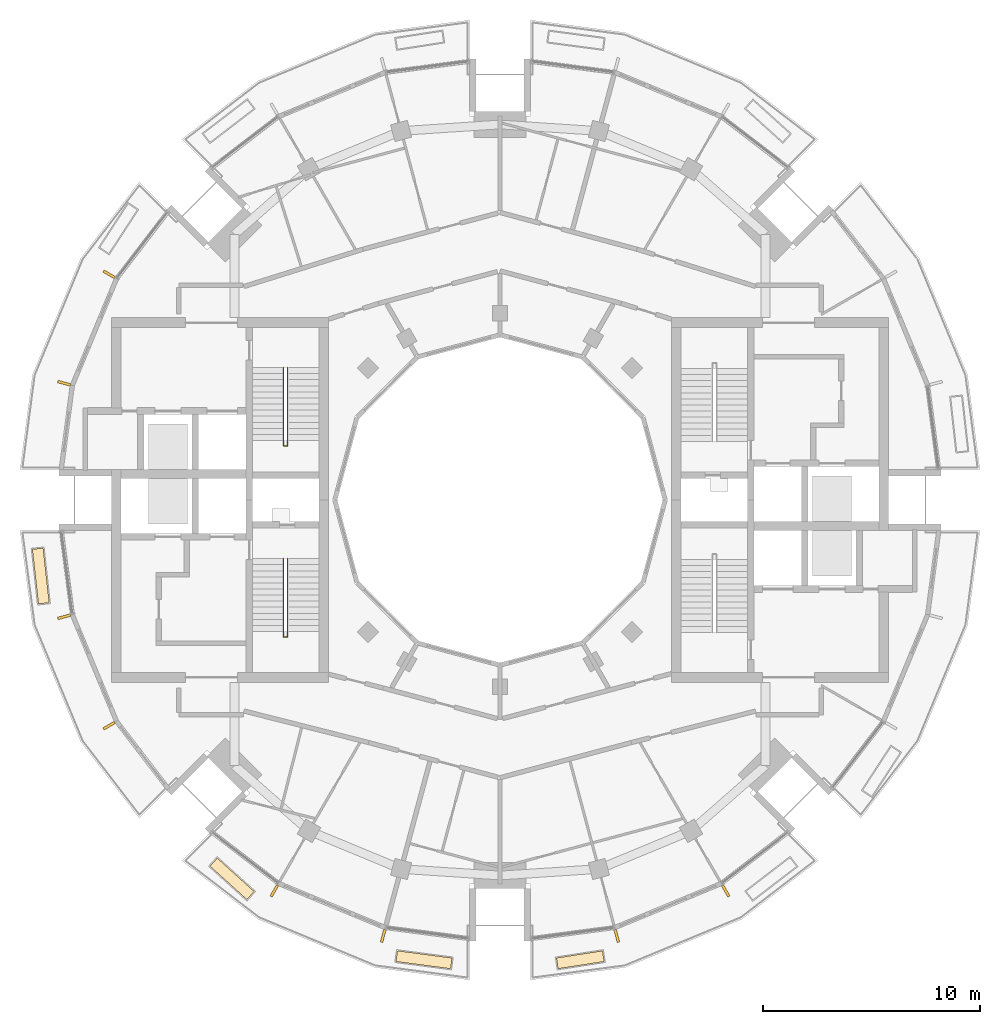
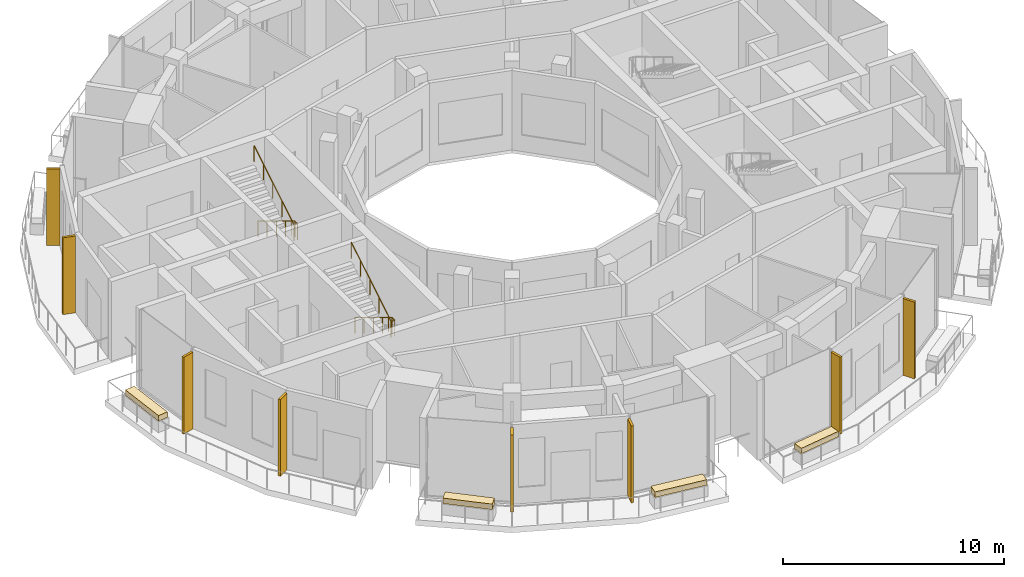
# One storey, part 13 of 15: 8 shading devices, 4 coverings, 2 railings.
"""IFC4 building model written with IfcOpenShell, lengths in metres."""

import ifcopenshell
import ifcopenshell.guid

model = None  # the IFC model being written
_history = None  # IfcOwnerHistory: only IFC2X3 demands one
_inside = {}  # id of a spatial element -> (the spatial element, [elements in it])
_under = {}  # id of a project, library or spatial element -> (it, [spatial elements below it])
_declared = {}  # id of a project -> (the project, [libraries it declares])
_typed = {}  # id of a type object -> (the type object, [elements of that type])
_made_of = {}  # id of a material, layer set ... -> (it, [elements and type objects made of it])


def new_model(schema):
    """Start an empty IFC model of exactly this schema.

    Asked for "IFC4X3", IfcOpenShell would pick the latest addendum, in which some entities
    have other attributes; the version numbers below select the first issue.
    IFC2X3 requires an IfcOwnerHistory on every rooted entity: one is made here for all.
    """
    global model, _history
    if schema == "IFC4X3":
        model = ifcopenshell.file(schema_version=(4, 3, 0, 0))
    else:
        model = ifcopenshell.file(schema=schema)
    _inside.clear()
    _under.clear()
    _declared.clear()
    _typed.clear()
    _made_of.clear()
    _history = None
    if model.schema == "IFC2X3":
        org = make("IfcOrganization", Name="unknown")
        user = make(
            "IfcPersonAndOrganization",
            ThePerson=make("IfcPerson", FamilyName="unknown"),
            TheOrganization=org,
        )
        app = make(
            "IfcApplication",
            ApplicationDeveloper=org,
            Version="unknown",
            ApplicationFullName="unknown",
            ApplicationIdentifier="unknown",
        )
        _history = make(
            "IfcOwnerHistory",
            OwningUser=user,
            OwningApplication=app,
            ChangeAction="ADDED",
            CreationDate=0,
        )
    return model


def make(cls, **values):
    """One entity of the class cls with the attributes given. An attribute that is None is left unset."""
    return model.create_entity(
        cls, **{name: value for name, value in values.items() if value is not None}
    )


def rooted(cls, **values):
    """An entity with a GlobalId (a new one), such as an element, a storey or a relation."""
    return make(cls, GlobalId=ifcopenshell.guid.new(), OwnerHistory=_history, **values)


def si_unit(unit_type, name, prefix=None):
    """IfcSIUnit, for example si_unit("LENGTHUNIT", "METRE", prefix="MILLI")."""
    return make("IfcSIUnit", UnitType=unit_type, Prefix=prefix, Name=name)


def assignment(units):
    """IfcUnitAssignment: the units of a project."""
    return None if units is None else make("IfcUnitAssignment", Units=units)


def point(xyz):
    """IfcCartesianPoint."""
    return None if xyz is None else make("IfcCartesianPoint", Coordinates=xyz)


def direction(xyz):
    """IfcDirection."""
    return None if xyz is None else make("IfcDirection", DirectionRatios=xyz)


def frame(location, z_axis=None, x_axis=None):
    """IfcAxis2Placement3D, a coordinate frame: its origin and axes. An axis left out is left unset."""
    return make(
        "IfcAxis2Placement3D",
        Location=point(location),
        Axis=direction(z_axis),
        RefDirection=direction(x_axis),
    )


def frame_2d(location, x_axis=None):
    """IfcAxis2Placement2D, a coordinate frame in the plane: its origin and x axis."""
    return make(
        "IfcAxis2Placement2D", Location=point(location), RefDirection=direction(x_axis)
    )


def origin():
    """The frame at (0, 0, 0) with its axes left unset."""
    return frame((0.0, 0.0, 0.0))


def origin_2d():
    """The frame at (0, 0) in the plane with its x axis left unset."""
    return frame_2d((0.0, 0.0))


def place(relative_to, where):
    """IfcLocalPlacement: puts the frame where relative to a parent placement (None: the world)."""
    return make(
        "IfcLocalPlacement", PlacementRelTo=relative_to, RelativePlacement=where
    )


def context(
    kind, dimensions, precision=None, world=None, true_north=None, identifier=None
):
    """IfcGeometricRepresentationContext, for example the 3D "Model" context."""
    return make(
        "IfcGeometricRepresentationContext",
        ContextIdentifier=identifier,
        ContextType=kind,
        CoordinateSpaceDimension=dimensions,
        Precision=precision,
        WorldCoordinateSystem=world,
        TrueNorth=true_north,
    )


def subcontext(parent, identifier, kind, view, scale=None):
    """IfcGeometricRepresentationSubContext, for example "Body" below "Model"."""
    return make(
        "IfcGeometricRepresentationSubContext",
        ContextIdentifier=identifier,
        ContextType=kind,
        ParentContext=parent,
        TargetScale=scale,
        TargetView=view,
    )


def project(units=None, contexts=None):
    """IfcProject with its units and contexts."""
    return rooted(
        "IfcProject",
        Name="project",
        RepresentationContexts=contexts,
        UnitsInContext=assignment(units),
    )


def spatial(cls, under=None, at=None, **own):
    """A site, building, storey or space (cls), placed at a placement, below another one or the project."""
    s = rooted(cls, ObjectPlacement=at, **own)
    if under is not None:
        _under.setdefault(under.id(), (under, []))[1].append(s)
    return s


def polyline(points):
    """IfcPolyline through the points."""
    return make("IfcPolyline", Points=[point(p) for p in points])


def profile(cls, at=None, kind="AREA", **sizes):
    """A parametric profile (cls). Its sizes go by their IFC names, for example OverallWidth=200.0."""
    return make(cls, ProfileType=kind, Position=at, **sizes)


def rectangle(**sizes):
    """IfcRectangleProfileDef."""
    return profile("IfcRectangleProfileDef", **sizes)


def circle(**sizes):
    """IfcCircleProfileDef."""
    return profile("IfcCircleProfileDef", **sizes)


def outline(outer, holes=None, kind="AREA"):
    """IfcArbitraryClosedProfileDef: a profile drawn as a closed curve; with holes, ...WithVoids."""
    if holes is None:
        return make("IfcArbitraryClosedProfileDef", ProfileType=kind, OuterCurve=outer)
    return make(
        "IfcArbitraryProfileDefWithVoids",
        ProfileType=kind,
        OuterCurve=outer,
        InnerCurves=holes,
    )


def extrude(swept, where, along, depth):
    """IfcExtrudedAreaSolid: the profile swept, set in the frame where, extruded along a direction by depth."""
    return make(
        "IfcExtrudedAreaSolid",
        SweptArea=swept,
        Position=where,
        ExtrudedDirection=direction(along),
        Depth=depth,
    )


def shape(context_of_items, identifier, shape_type, items):
    """IfcShapeRepresentation: the items that make up one representation, for example the "Body"."""
    return make(
        "IfcShapeRepresentation",
        ContextOfItems=context_of_items,
        RepresentationIdentifier=identifier,
        RepresentationType=shape_type,
        Items=items,
    )


def material(Name=None, Category=None):
    """IfcMaterial."""
    return make("IfcMaterial", Name=Name, Category=Category)


def layer(
    of_material, thickness, ventilated=None, Name=None, Category=None, Priority=None
):
    """IfcMaterialLayer: one layer of a wall or slab, of a material (None: an air gap)."""
    return make(
        "IfcMaterialLayer",
        Material=of_material,
        LayerThickness=thickness,
        IsVentilated=ventilated,
        Name=Name,
        Category=Category,
        Priority=Priority,
    )


def layer_set(layers, Name=None):
    """IfcMaterialLayerSet."""
    return make("IfcMaterialLayerSet", MaterialLayers=layers, LayerSetName=Name)


def material_profile(
    of_material, cross_section, Name=None, Category=None, Priority=None
):
    """IfcMaterialProfile: a cross section and its material."""
    return make(
        "IfcMaterialProfile",
        Name=Name,
        Material=of_material,
        Profile=cross_section,
        Priority=Priority,
        Category=Category,
    )


def profile_set(profiles, Name=None, composite=None):
    """IfcMaterialProfileSet."""
    return make(
        "IfcMaterialProfileSet",
        Name=Name,
        MaterialProfiles=profiles,
        CompositeProfile=composite,
    )


def made_of(thing, what):
    """Note that an element or type object is made of a material, layer set ...; save() writes the relation."""
    if what is not None:
        _made_of.setdefault(what.id(), (what, []))[1].append(thing)
    return thing


def type_object(cls, material=None, **own):
    """A type object (cls), such as IfcWallType, which elements share."""
    return made_of(rooted(cls, **own), material)


def element(
    cls,
    number,
    at=None,
    inside=None,
    cuts=None,
    type_object=None,
    material=None,
    context=None,
    identifier="Body",
    shape_type=None,
    held_by="IfcProductDefinitionShape",
    body=None,
    shapes=None,
    **own,
):
    """One element of the class cls, such as IfcWall. Its Tag is "e" and its number.

    at: its placement. inside: the storey or other place that contains it. cuts: it is an
    opening in that element (IfcRelVoidsElement). A single representation is given by context,
    identifier, shape_type and body (its items); several are given by shapes. held_by: the class
    of the entity that holds the representations. save() writes the other relations.
    """
    e = rooted(cls, Tag="e%d" % number, ObjectPlacement=at, **own)
    if body is not None:
        shapes = [shape(context, identifier, shape_type, body)]
    if shapes is not None:
        e.Representation = make(held_by, Representations=shapes)
    if inside is not None:
        _inside.setdefault(inside.id(), (inside, []))[1].append(e)
    if cuts is not None:
        rooted(
            "IfcRelVoidsElement", RelatingBuildingElement=cuts, RelatedOpeningElement=e
        )
    if type_object is not None:
        _typed.setdefault(type_object.id(), (type_object, []))[1].append(e)
    return made_of(e, material)


def aggregate(whole, parts):
    """IfcRelAggregates: a whole, such as a stair, and the parts it consists of."""
    return rooted("IfcRelAggregates", RelatingObject=whole, RelatedObjects=parts)


def save(model, path):
    """Write the relations noted so far, then the file.

    IfcRelAggregates (storeys below a building ...), IfcRelContainedInSpatialStructure (elements
    in a storey), IfcRelDefinesByType, IfcRelAssociatesMaterial and IfcRelDeclares: one each for
    every whole, place, type object, material and project.
    """
    for whole, parts in _under.values():
        aggregate(whole, parts)
    for where, things in _inside.values():
        rooted(
            "IfcRelContainedInSpatialStructure",
            RelatedElements=things,
            RelatingStructure=where,
        )
    for kind, things in _typed.values():
        rooted("IfcRelDefinesByType", RelatedObjects=things, RelatingType=kind)
    for what, things in _made_of.values():
        rooted("IfcRelAssociatesMaterial", RelatedObjects=things, RelatingMaterial=what)
    for by, libraries in _declared.values():
        rooted("IfcRelDeclares", RelatingContext=by, RelatedDefinitions=libraries)
    model.write(path)


model = new_model("IFC4")

# Units and contexts
model_context = context("Model", 3, precision=1e-05, world=origin(), true_north=direction((0.0, 1.0)))
body_context = subcontext(model_context, "Body", "Model", "MODEL_VIEW")
ifc_project = project(units=[si_unit("LENGTHUNIT", "METRE"), si_unit("AREAUNIT", "SQUARE_METRE"), si_unit("VOLUMEUNIT", "CUBIC_METRE"), si_unit("PLANEANGLEUNIT", "RADIAN"), si_unit("MASSUNIT", "GRAM", prefix="KILO")], contexts=[model_context])

# Site, building, storey
site_placement = place(None, origin())
site = spatial("IfcSite", under=ifc_project, at=site_placement, CompositionType="ELEMENT")
building_placement = place(site_placement, origin())
building = spatial("IfcBuilding", under=site, at=building_placement, Name="Torre Brocal", CompositionType="ELEMENT")
storey_placement = place(building_placement, frame((0.0, 0.0, 314.89990234375)))
storey = spatial("IfcBuildingStorey", under=building, at=storey_placement, Name="L72", CompositionType="ELEMENT", Elevation=314.89990234375)

# Shading devices
ifc_material_1 = material(Name="Aluminium, black anodised", Category="aluminium")
ifc_material_profile = material_profile(ifc_material_1, rectangle(XDim=0.1201171875, YDim=0.60009765625, at=origin_2d()), Name="FIN 120X600 4250 HIGH FROM FLOOR")
ifc_profile_set = profile_set([ifc_material_profile], Name="Aluminium, black anodised")
shading_device_type = type_object("IfcShadingDeviceType", Name="FIN 120X600 4250 HIGH FROM FLOOR", PredefinedType="USERDEFINED", material=ifc_profile_set)
for number, where, z_axis, x_axis, name in (
    (1, (61.99365234375, 85.39599609375, 0.0), (0.0, 0.0, 1.0), (-0.5, -0.866025403784, 0.0), "FIN"),
    (2, (59.91650390625, 80.38134765625, 0.0), (0.0, 0.0, 1.0), (-0.258819045103, -0.965925826289, 0.0), "FIN"),
    (3, (59.91650390625, 69.61865234375, 0.0), (0.0, 0.0, 1.0), (0.258819045103, -0.965925826289, 0.0), "FIN"),
    (4, (61.99365234375, 64.60400390625, 0.0), (0.0, 0.0, 1.0), (0.5, -0.866025403784, 0.0), "FIN"),
    (5, (69.60400390625, 56.99365234375, 0.0), (0.0, 0.0, 1.0), (0.866025403784, -0.5, 0.0), "FIN"),
    (6, (74.61865234375, 54.91650390625, 0.0), (0.0, 0.0, 1.0), (0.965925826289, -0.258819045103, 0.0), "FIN"),
    (7, (85.38134765625, 54.91650390625, 0.0), (0.0, 0.0, 1.0), (0.965925826289, 0.258819045103, 0.0), "FIN"),
    (8, (90.39599609375, 56.99365234375, 0.0), (0.0, 0.0, 1.0), (0.866025403784, 0.5, 0.0), "FIN"),
):
    element("IfcShadingDevice", number, at=place(storey_placement, frame(where, z_axis=z_axis, x_axis=x_axis)), inside=storey, type_object=shading_device_type, Name=name, ObjectType="FIN", PredefinedType="USERDEFINED", context=body_context, shape_type="SweptSolid", body=[
        extrude(rectangle(XDim=0.1201171875, YDim=0.60009765625, at=origin_2d()), origin(), (0.0, 0.0, 1.0), 4.25),
    ])

# Coverings
ifc_material_2 = material(Name="Planting soil")
ifc_layer = layer(ifc_material_2, 0.300048828125)
ifc_layer_set = layer_set([ifc_layer], Name="Planting soil")
covering_type = type_object("IfcCoveringType", Name="PLANTING SOIL 300", PredefinedType="FLOORING", material=ifc_layer_set)
covering_1_placement = place(storey_placement, frame((0.0, 0.0, 0.60009765625)))
element("IfcCovering", 9, at=covering_1_placement, inside=storey, type_object=covering_type, Name="PLANTING SOIL", PredefinedType="FLOORING", context=body_context, shape_type="SweptSolid", body=[
    extrude(outline(polyline([(58.952392578125, 72.784912109375), (59.233154296875, 70.26904296875), (58.736328125, 70.213623046875), (58.455322265625, 72.7294921875), (58.952392578125, 72.784912109375)])), origin(), (0.0, 0.0, 1.0), 0.300048828125),
])
covering_2_placement = place(storey_placement, frame((0.0, 0.0, 0.60009765625)))
element("IfcCovering", 10, at=covering_2_placement, inside=storey, type_object=covering_type, Name="PLANTING SOIL", PredefinedType="FLOORING", context=body_context, shape_type="SweptSolid", body=[
    extrude(outline(polyline([(66.973388671875, 58.50146484375), (68.674560546875, 56.962890625), (68.339111328125, 56.592041015625), (66.637939453125, 58.130859375), (66.973388671875, 58.50146484375)])), origin(), (0.0, 0.0, 1.0), 0.300048828125),
])
covering_3_placement = place(storey_placement, frame((0.0, 0.0, 0.60009765625)))
element("IfcCovering", 11, at=covering_3_placement, inside=storey, type_object=covering_type, Name="PLANTING SOIL", PredefinedType="FLOORING", context=body_context, shape_type="SweptSolid", body=[
    extrude(outline(polyline([(75.27392578125, 54.231689453125), (77.789794921875, 53.900390625), (77.724609375, 53.40478515625), (75.20849609375, 53.736083984375), (75.27392578125, 54.231689453125)])), origin(), (0.0, 0.0, 1.0), 0.300048828125),
])
covering_4_placement = place(storey_placement, frame((0.0, 0.0, 0.60009765625)))
element("IfcCovering", 12, at=covering_4_placement, inside=storey, type_object=covering_type, Name="PLANTING SOIL", PredefinedType="FLOORING", context=body_context, shape_type="SweptSolid", body=[
    extrude(outline(polyline([(82.600830078125, 53.90087890625), (84.720703125, 54.229736328125), (84.79736328125, 53.735595703125), (82.677490234375, 53.40673828125), (82.600830078125, 53.90087890625)])), origin(), (0.0, 0.0, 1.0), 0.300048828125),
])

# Railings
ifc_material_3 = material(Name="Stainless steel AISI 316", Category="steel")
railing_type = type_object("IfcRailingType", Name="STAIR HANDRAIL", PredefinedType="HANDRAIL", material=ifc_material_3)
railing_1_placement = place(storey_placement, frame((70.219970703125, 72.300048828125, 0.16943359375)))
element("IfcRailing", 13, at=railing_1_placement, inside=storey, type_object=railing_type, Name="HANDRAIL ST3", PredefinedType="HANDRAIL", context=body_context, shape_type="SweptSolid", body=[
    extrude(circle(Radius=0.02392578125, at=origin_2d()), frame((0.0, 0.0, 0.8759765625), z_axis=(0.0, -0.855836976705, 0.517245656632), x_axis=(1.0, 0.0, 0.0)), (0.0, 0.0, 1.0), 3.926025390625),
    extrude(circle(Radius=0.02392578125, at=origin_2d()), frame((0.0, -3.360107421875, 2.90673828125), z_axis=(0.0, -1.0, 0.0), x_axis=(1.0, 0.0, 0.0)), (0.0, 0.0, 1.0), 0.25),
    extrude(circle(Radius=0.02392578125, at=origin_2d()), frame((0.0, -3.610107421875, 2.90673828125), z_axis=(-1.0, 0.0, 0.0), x_axis=(0.0, -1.0, 0.0)), (0.0, 0.0, 1.0), 0.18994140625),
    extrude(circle(Radius=0.02392578125, at=origin_2d()), frame((-0.18994140625, -3.610107421875, 2.90673828125), z_axis=(0.0, 0.828173002143, 0.560472549302), x_axis=(-1.0, 0.0, 0.0)), (0.0, 0.0, 1.0), 0.3017578125),
    extrude(circle(Radius=0.02392578125, at=origin_2d()), frame((-0.18994140625, -3.360107421875, 3.07568359375), z_axis=(0.0, 0.855836976705, 0.517245656632), x_axis=(-1.0, 0.0, 0.0)), (0.0, 0.0, 1.0), 3.926025390625),
    extrude(circle(Radius=0.02099609375, at=origin_2d()), origin(), (0.0, 0.0, 1.0), 0.851806640625),
    extrude(circle(Radius=0.02099609375, at=origin_2d()), frame((0.0, -0.840087890625, 0.5078125)), (0.0, 0.0, 1.0), 0.851806640625),
    extrude(circle(Radius=0.02099609375, at=origin_2d()), frame((0.0, -1.68017578125, 1.015380859375)), (0.0, 0.0, 1.0), 0.851806640625),
    extrude(circle(Radius=0.02099609375, at=origin_2d()), frame((0.0, -2.52001953125, 1.52294921875)), (0.0, 0.0, 1.0), 0.851806640625),
    extrude(circle(Radius=0.02099609375, at=origin_2d()), frame((0.0, -3.360107421875, 2.03076171875)), (0.0, 0.0, 1.0), 0.851806640625),
    extrude(circle(Radius=0.02099609375, at=origin_2d()), frame((0.0, -3.610107421875, 2.03076171875)), (0.0, 0.0, 1.0), 0.851806640625),
    extrude(circle(Radius=0.02099609375, at=origin_2d()), frame((-0.18994140625, -3.610107421875, 2.03076171875)), (0.0, 0.0, 1.0), 0.851806640625),
    extrude(circle(Radius=0.02099609375, at=origin_2d()), frame((-0.18994140625, -3.360107421875, 2.199951171875)), (0.0, 0.0, 1.0), 0.851806640625),
    extrude(circle(Radius=0.02099609375, at=origin_2d()), frame((-0.18994140625, -2.52001953125, 2.70751953125)), (0.0, 0.0, 1.0), 0.851806640625),
    extrude(circle(Radius=0.02099609375, at=origin_2d()), frame((-0.18994140625, -1.68017578125, 3.21533203125)), (0.0, 0.0, 1.0), 0.851806640625),
    extrude(circle(Radius=0.02099609375, at=origin_2d()), frame((-0.18994140625, -0.840087890625, 3.72314453125)), (0.0, 0.0, 1.0), 0.851806640625),
    extrude(circle(Radius=0.02099609375, at=origin_2d()), frame((-0.18994140625, 0.0, 4.230712890625)), (0.0, 0.0, 1.0), 0.851806640625),
])
railing_2_placement = place(storey_placement, frame((70.219970703125, 81.10009765625, 0.16943359375)))
element("IfcRailing", 14, at=railing_2_placement, inside=storey, type_object=railing_type, Name="HANDRAIL ST4", PredefinedType="HANDRAIL", context=body_context, shape_type="SweptSolid", body=[
    extrude(circle(Radius=0.02392578125, at=origin_2d()), frame((0.0, 0.0, 0.8759765625), z_axis=(0.0, -0.855836976705, 0.517245656632), x_axis=(1.0, 0.0, 0.0)), (0.0, 0.0, 1.0), 3.926025390625),
    extrude(circle(Radius=0.02392578125, at=origin_2d()), frame((0.0, -3.360107421875, 2.90673828125), z_axis=(0.0, -1.0, 0.0), x_axis=(1.0, 0.0, 0.0)), (0.0, 0.0, 1.0), 0.25),
    extrude(circle(Radius=0.02392578125, at=origin_2d()), frame((0.0, -3.610107421875, 2.90673828125), z_axis=(-1.0, 0.0, 0.0), x_axis=(0.0, -1.0, 0.0)), (0.0, 0.0, 1.0), 0.18994140625),
    extrude(circle(Radius=0.02392578125, at=origin_2d()), frame((-0.18994140625, -3.610107421875, 2.90673828125), z_axis=(0.0, 0.828173002143, 0.560472549302), x_axis=(-1.0, 0.0, 0.0)), (0.0, 0.0, 1.0), 0.3017578125),
    extrude(circle(Radius=0.02392578125, at=origin_2d()), frame((-0.18994140625, -3.360107421875, 3.07568359375), z_axis=(0.0, 0.855836976705, 0.517245656632), x_axis=(-1.0, 0.0, 0.0)), (0.0, 0.0, 1.0), 3.926025390625),
    extrude(circle(Radius=0.02099609375, at=origin_2d()), origin(), (0.0, 0.0, 1.0), 0.851806640625),
    extrude(circle(Radius=0.02099609375, at=origin_2d()), frame((0.0, -0.840087890625, 0.5078125)), (0.0, 0.0, 1.0), 0.851806640625),
    extrude(circle(Radius=0.02099609375, at=origin_2d()), frame((0.0, -1.68017578125, 1.015380859375)), (0.0, 0.0, 1.0), 0.851806640625),
    extrude(circle(Radius=0.02099609375, at=origin_2d()), frame((0.0, -2.52001953125, 1.52294921875)), (0.0, 0.0, 1.0), 0.851806640625),
    extrude(circle(Radius=0.02099609375, at=origin_2d()), frame((0.0, -3.360107421875, 2.03076171875)), (0.0, 0.0, 1.0), 0.851806640625),
    extrude(circle(Radius=0.02099609375, at=origin_2d()), frame((0.0, -3.610107421875, 2.03076171875)), (0.0, 0.0, 1.0), 0.851806640625),
    extrude(circle(Radius=0.02099609375, at=origin_2d()), frame((-0.18994140625, -3.610107421875, 2.03076171875)), (0.0, 0.0, 1.0), 0.851806640625),
    extrude(circle(Radius=0.02099609375, at=origin_2d()), frame((-0.18994140625, -3.360107421875, 2.199951171875)), (0.0, 0.0, 1.0), 0.851806640625),
    extrude(circle(Radius=0.02099609375, at=origin_2d()), frame((-0.18994140625, -2.52001953125, 2.70751953125)), (0.0, 0.0, 1.0), 0.851806640625),
    extrude(circle(Radius=0.02099609375, at=origin_2d()), frame((-0.18994140625, -1.68017578125, 3.21533203125)), (0.0, 0.0, 1.0), 0.851806640625),
    extrude(circle(Radius=0.02099609375, at=origin_2d()), frame((-0.18994140625, -0.840087890625, 3.72314453125)), (0.0, 0.0, 1.0), 0.851806640625),
    extrude(circle(Radius=0.02099609375, at=origin_2d()), frame((-0.18994140625, 0.0, 4.230712890625)), (0.0, 0.0, 1.0), 0.851806640625),
])

save(model, "model.ifc")
